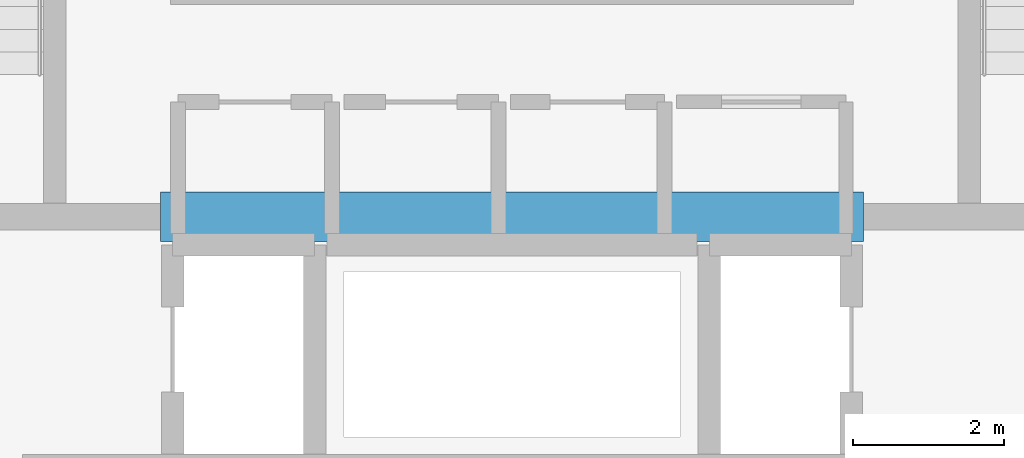
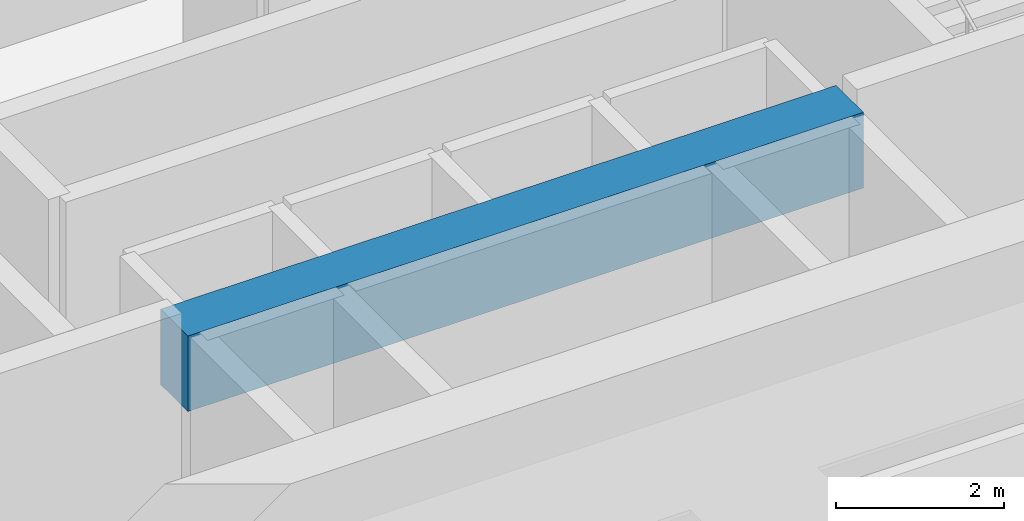
# One storey, part 8 of 34: 1 beam.
"""IFC4 building model written with IfcOpenShell, lengths in metres."""

from ifc_helpers import new_model, si_unit, direction, frame, origin, origin_2d, place, context, subcontext, project, spatial, rectangle, extrude, material, material_profile, profile_set, type_object, element, save


model = new_model("IFC4")

# Units and contexts
model_context = context("Model", 3, precision=1e-05, world=origin(), true_north=direction((0.0, 1.0)))
body_context = subcontext(model_context, "Body", "Model", "MODEL_VIEW")
ifc_project = project(units=[si_unit("LENGTHUNIT", "METRE"), si_unit("AREAUNIT", "SQUARE_METRE"), si_unit("VOLUMEUNIT", "CUBIC_METRE"), si_unit("PLANEANGLEUNIT", "RADIAN"), si_unit("MASSUNIT", "GRAM", prefix="KILO")], contexts=[model_context])

# Site, building, storey
site_placement = place(None, origin())
site = spatial("IfcSite", under=ifc_project, at=site_placement, CompositionType="ELEMENT")
building_placement = place(site_placement, origin())
building = spatial("IfcBuilding", under=site, at=building_placement, Name="Punatoya Terracotta Tower", CompositionType="ELEMENT")
storey_placement = place(building_placement, frame((0.0, 0.0, 117.300048828125)))
storey = spatial("IfcBuildingStorey", under=building, at=storey_placement, Name="L27", CompositionType="ELEMENT", Elevation=117.300048828125)

# Beam
ifc_material = material(Name="Concrete C60/75", Category="concrete")
ifc_material_profile = material_profile(ifc_material, rectangle(XDim=0.64990234375, YDim=1.10009765625, at=origin_2d()))
ifc_profile_set = profile_set([ifc_material_profile], Name="Concrete C60/75")
beam_type = type_object("IfcBeamType", Name="BM-RC-1100", PredefinedType="LINTEL", material=ifc_profile_set)
beam_placement = place(storey_placement, frame((-4.64990234375, -5.679931640625, 3.260009765625), z_axis=(1.0, 0.0, 0.0), x_axis=(0.0, 1.0, 0.0)))
element("IfcBeam", 1, at=beam_placement, inside=storey, type_object=beam_type, Name="L27 Core Coupling Lintel CSW", PredefinedType="LINTEL", context=body_context, shape_type="SweptSolid", body=[
    extrude(rectangle(XDim=0.64990234375, YDim=1.10009765625, at=origin_2d()), origin(), (0.0, 0.0, 1.0), 9.2998046875),
])

save(model, "model.ifc")
